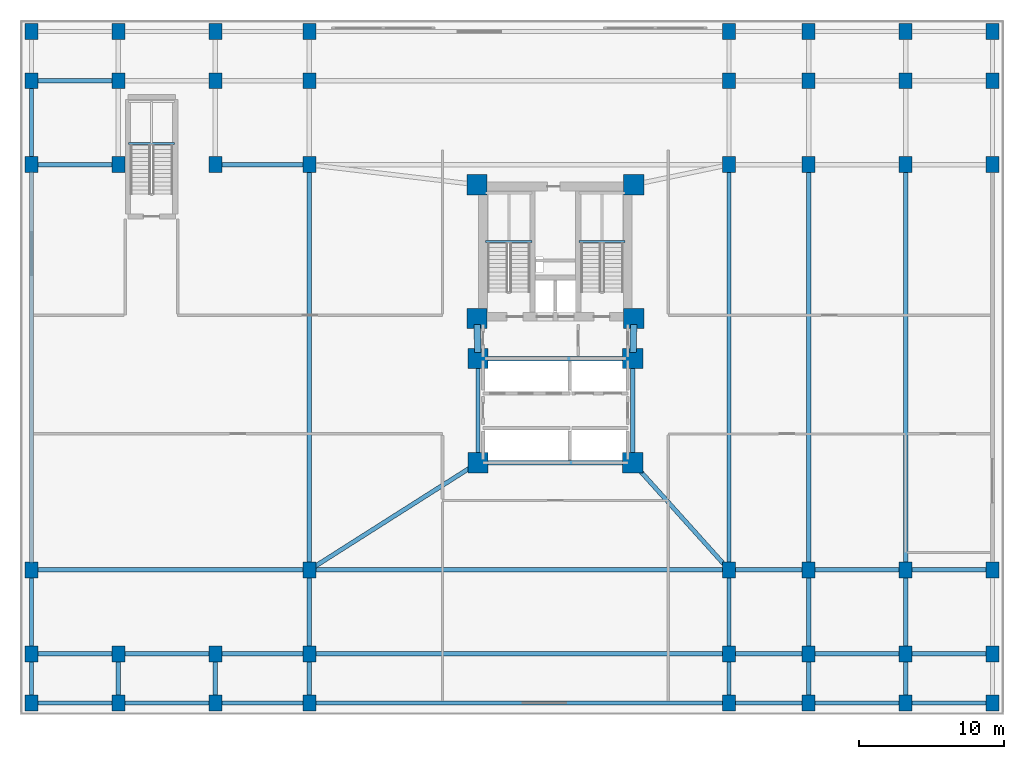
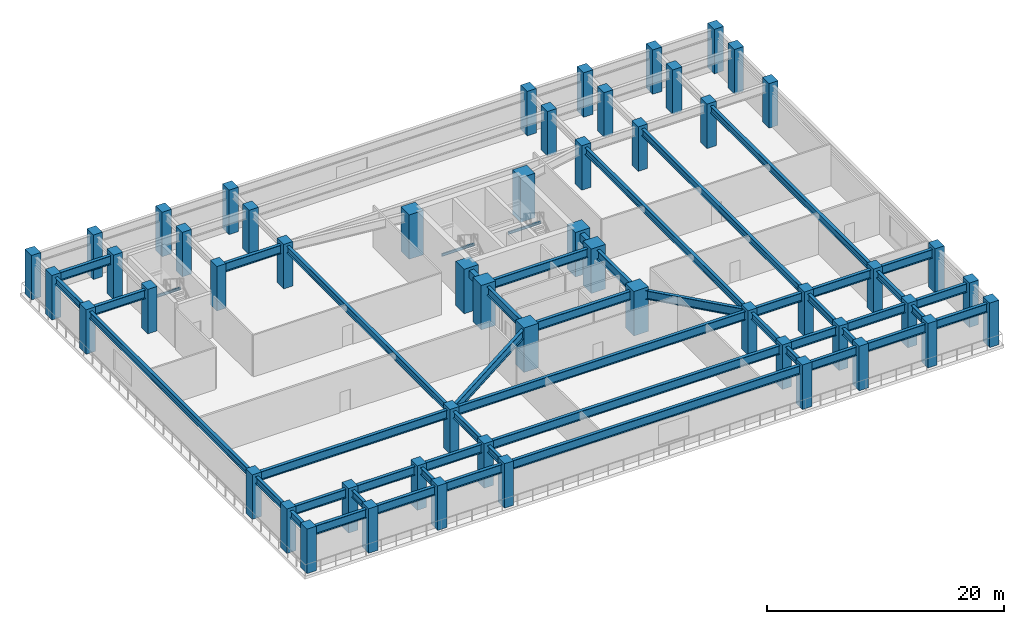
# One storey, part 1 of 12: 54 columns, 51 beams.
"""IFC4 building model written with IfcOpenShell, lengths in metres."""

from ifc_helpers import new_model, si_unit, direction, frame, origin, origin_2d, place, context, subcontext, project, spatial, rectangle, i_section, extrude, material, material_profile, profile_set, type_object, element, save


model = new_model("IFC4")

# Units and contexts
model_context = context("Model", 3, precision=1e-05, world=origin(), true_north=direction((0.0, 1.0)))
body_context = subcontext(model_context, "Body", "Model", "MODEL_VIEW")
ifc_project = project(units=[si_unit("LENGTHUNIT", "METRE"), si_unit("AREAUNIT", "SQUARE_METRE"), si_unit("VOLUMEUNIT", "CUBIC_METRE"), si_unit("PLANEANGLEUNIT", "RADIAN"), si_unit("MASSUNIT", "GRAM", prefix="KILO")], contexts=[model_context])

# Site, building, storey
site_placement = place(None, origin())
site = spatial("IfcSite", under=ifc_project, at=site_placement, CompositionType="ELEMENT")
building_placement = place(site_placement, origin())
building = spatial("IfcBuilding", under=site, at=building_placement, Name="Varnakorn Sky Granary", CompositionType="ELEMENT")
storey_placement = place(building_placement, frame((0.0, 0.0, 4.60009765625)))
storey = spatial("IfcBuildingStorey", under=building, at=storey_placement, Name="L01", CompositionType="ELEMENT", Elevation=4.60009765625)

# Columns
ifc_material_1 = material(Name="Concrete C60/75", Category="concrete")
ifc_material_profile_1 = material_profile(ifc_material_1, rectangle(XDim=1.39990234375, YDim=1.39990234375, at=origin_2d()), Name="RC 1400x1400")
ifc_profile_set_1 = profile_set([ifc_material_profile_1], Name="Concrete C60/75")
column_type_1 = type_object("IfcColumnType", Name="COL-MC-Z0", PredefinedType="COLUMN", material=ifc_profile_set_1)
for number, where, z_axis, x_axis, name in (
    (1, (-2.419921875, 12.6201171875, 0.0), (0.0, 0.0, 1.0), (1.0, 0.0, 0.0), "Backbone Mega-Column MC1 L01"),
    (2, (8.419921875, 12.6201171875, 0.0), (0.0, 0.0, 1.0), (1.0, 0.0, 0.0), "Backbone Mega-Column MC2 L01"),
    (3, (-2.419921875, 3.3798828125, 0.0), (0.0, 0.0, 1.0), (1.0, 0.0, 0.0), "Backbone Mega-Column MC3 L01"),
    (4, (8.419921875, 3.3798828125, 0.0), (0.0, 0.0, 1.0), (1.0, 0.0, 0.0), "Backbone Mega-Column MC4 L01"),
    (5, (-2.35009765625, 0.60009765625, 0.0), (0.0, 0.0, 1.0), (1.0, 0.0, 0.0), "Backbone Mega-Column MC5 L01"),
    (6, (8.35009765625, 0.60009765625, 0.0), (0.0, 0.0, 1.0), (1.0, 0.0, 0.0), "Backbone Mega-Column MC6 L01"),
    (7, (-2.35009765625, -6.60009765625, 0.0), (0.0, 0.0, 1.0), (1.0, 0.0, 0.0), "Backbone Mega-Column MC7 L01"),
    (8, (8.35009765625, -6.60009765625, 0.0), (0.0, 0.0, 1.0), (1.0, 0.0, 0.0), "Backbone Mega-Column MC8 L01"),
):
    element("IfcColumn", number, at=place(storey_placement, frame(where, z_axis=z_axis, x_axis=x_axis)), inside=storey, type_object=column_type_1, Name=name, PredefinedType="COLUMN", context=body_context, shape_type="SweptSolid", body=[
        extrude(rectangle(XDim=1.39990234375, YDim=1.39990234375, at=origin_2d()), origin(), (0.0, 0.0, 1.0), 4.574951171875),
    ])
ifc_material_profile_2 = material_profile(ifc_material_1, rectangle(XDim=0.89990234375, YDim=1.10009765625, at=origin_2d()), Name="RC 900x1100")
ifc_profile_set_2 = profile_set([ifc_material_profile_2], Name="Concrete C60/75")
column_type_2 = type_object("IfcColumnType", Name="COL-POD-1100", PredefinedType="COLUMN", material=ifc_profile_set_2)
for number, where, z_axis, x_axis, name in (
    (9, (-33.199951171875, -23.199951171875, 0.0), (0.0, 0.0, 1.0), (1.0, 0.0, 0.0), "Podium Column P11 L01"),
    (10, (-33.199951171875, -19.800048828125, 0.0), (0.0, 0.0, 1.0), (1.0, 0.0, 0.0), "Podium Column P12 L01"),
    (11, (-33.199951171875, -14.0, 0.0), (0.0, 0.0, 1.0), (1.0, 0.0, 0.0), "Podium Column P13 L01"),
    (12, (-33.199951171875, 14.0, 0.0), (0.0, 0.0, 1.0), (1.0, 0.0, 0.0), "Podium Column P14 L01"),
    (13, (-33.199951171875, 19.800048828125, 0.0), (0.0, 0.0, 1.0), (1.0, 0.0, 0.0), "Podium Column P15 L01"),
    (14, (-33.199951171875, 23.199951171875, 0.0), (0.0, 0.0, 1.0), (1.0, 0.0, 0.0), "Podium Column P16 L01"),
    (15, (-27.199951171875, -23.199951171875, 0.0), (0.0, 0.0, 1.0), (1.0, 0.0, 0.0), "Podium Column P21 L01"),
    (16, (-27.199951171875, -19.800048828125, 0.0), (0.0, 0.0, 1.0), (1.0, 0.0, 0.0), "Podium Column P22 L01"),
    (17, (-27.199951171875, 14.0, 0.0), (0.0, 0.0, 1.0), (1.0, 0.0, 0.0), "Podium Column P24 L01"),
    (18, (-27.199951171875, 19.800048828125, 0.0), (0.0, 0.0, 1.0), (1.0, 0.0, 0.0), "Podium Column P25 L01"),
    (19, (-27.199951171875, 23.199951171875, 0.0), (0.0, 0.0, 1.0), (1.0, 0.0, 0.0), "Podium Column P26 L01"),
    (20, (-20.5, -23.199951171875, 0.0), (0.0, 0.0, 1.0), (1.0, 0.0, 0.0), "Podium Column P31 L01"),
    (21, (-20.5, -19.800048828125, 0.0), (0.0, 0.0, 1.0), (1.0, 0.0, 0.0), "Podium Column P32 L01"),
    (22, (-20.5, 14.0, 0.0), (0.0, 0.0, 1.0), (1.0, 0.0, 0.0), "Podium Column P34 L01"),
    (23, (-20.5, 19.800048828125, 0.0), (0.0, 0.0, 1.0), (1.0, 0.0, 0.0), "Podium Column P35 L01"),
    (24, (-20.5, 23.199951171875, 0.0), (0.0, 0.0, 1.0), (1.0, 0.0, 0.0), "Podium Column P36 L01"),
    (25, (-14.0, -23.199951171875, 0.0), (0.0, 0.0, 1.0), (1.0, 0.0, 0.0), "Podium Column P41 L01"),
    (26, (-14.0, -19.800048828125, 0.0), (0.0, 0.0, 1.0), (1.0, 0.0, 0.0), "Podium Column P42 L01"),
    (27, (-14.0, -14.0, 0.0), (0.0, 0.0, 1.0), (1.0, 0.0, 0.0), "Podium Column P43 L01"),
    (28, (-14.0, 14.0, 0.0), (0.0, 0.0, 1.0), (1.0, 0.0, 0.0), "Podium Column P44 L01"),
    (29, (-14.0, 19.800048828125, 0.0), (0.0, 0.0, 1.0), (1.0, 0.0, 0.0), "Podium Column P45 L01"),
    (30, (-14.0, 23.199951171875, 0.0), (0.0, 0.0, 1.0), (1.0, 0.0, 0.0), "Podium Column P46 L01"),
    (31, (15.0, -23.199951171875, 0.0), (0.0, 0.0, 1.0), (1.0, 0.0, 0.0), "Podium Column P51 L01"),
    (32, (15.0, -19.800048828125, 0.0), (0.0, 0.0, 1.0), (1.0, 0.0, 0.0), "Podium Column P52 L01"),
    (33, (15.0, -14.0, 0.0), (0.0, 0.0, 1.0), (1.0, 0.0, 0.0), "Podium Column P53 L01"),
    (34, (15.0, 14.0, 0.0), (0.0, 0.0, 1.0), (1.0, 0.0, 0.0), "Podium Column P54 L01"),
    (35, (15.0, 19.800048828125, 0.0), (0.0, 0.0, 1.0), (1.0, 0.0, 0.0), "Podium Column P55 L01"),
    (36, (15.0, 23.199951171875, 0.0), (0.0, 0.0, 1.0), (1.0, 0.0, 0.0), "Podium Column P56 L01"),
    (37, (20.5, -23.199951171875, 0.0), (0.0, 0.0, 1.0), (1.0, 0.0, 0.0), "Podium Column P61 L01"),
    (38, (20.5, -19.800048828125, 0.0), (0.0, 0.0, 1.0), (1.0, 0.0, 0.0), "Podium Column P62 L01"),
    (39, (20.5, -14.0, 0.0), (0.0, 0.0, 1.0), (1.0, 0.0, 0.0), "Podium Column P63 L01"),
    (40, (20.5, 14.0, 0.0), (0.0, 0.0, 1.0), (1.0, 0.0, 0.0), "Podium Column P64 L01"),
    (41, (20.5, 19.800048828125, 0.0), (0.0, 0.0, 1.0), (1.0, 0.0, 0.0), "Podium Column P65 L01"),
    (42, (20.5, 23.199951171875, 0.0), (0.0, 0.0, 1.0), (1.0, 0.0, 0.0), "Podium Column P66 L01"),
    (43, (27.199951171875, -23.199951171875, 0.0), (0.0, 0.0, 1.0), (1.0, 0.0, 0.0), "Podium Column P71 L01"),
    (44, (27.199951171875, -19.800048828125, 0.0), (0.0, 0.0, 1.0), (1.0, 0.0, 0.0), "Podium Column P72 L01"),
    (45, (27.199951171875, -14.0, 0.0), (0.0, 0.0, 1.0), (1.0, 0.0, 0.0), "Podium Column P73 L01"),
    (46, (27.199951171875, 14.0, 0.0), (0.0, 0.0, 1.0), (1.0, 0.0, 0.0), "Podium Column P74 L01"),
    (47, (27.199951171875, 19.800048828125, 0.0), (0.0, 0.0, 1.0), (1.0, 0.0, 0.0), "Podium Column P75 L01"),
    (48, (27.199951171875, 23.199951171875, 0.0), (0.0, 0.0, 1.0), (1.0, 0.0, 0.0), "Podium Column P76 L01"),
    (49, (33.199951171875, -23.199951171875, 0.0), (0.0, 0.0, 1.0), (1.0, 0.0, 0.0), "Podium Column P81 L01"),
    (50, (33.199951171875, -19.800048828125, 0.0), (0.0, 0.0, 1.0), (1.0, 0.0, 0.0), "Podium Column P82 L01"),
    (51, (33.199951171875, -14.0, 0.0), (0.0, 0.0, 1.0), (1.0, 0.0, 0.0), "Podium Column P83 L01"),
    (52, (33.199951171875, 14.0, 0.0), (0.0, 0.0, 1.0), (1.0, 0.0, 0.0), "Podium Column P84 L01"),
    (53, (33.199951171875, 19.800048828125, 0.0), (0.0, 0.0, 1.0), (1.0, 0.0, 0.0), "Podium Column P85 L01"),
    (54, (33.199951171875, 23.199951171875, 0.0), (0.0, 0.0, 1.0), (1.0, 0.0, 0.0), "Podium Column P86 L01"),
):
    element("IfcColumn", number, at=place(storey_placement, frame(where, z_axis=z_axis, x_axis=x_axis)), inside=storey, type_object=column_type_2, Name=name, PredefinedType="COLUMN", context=body_context, shape_type="SweptSolid", body=[
        extrude(rectangle(XDim=0.89990234375, YDim=1.10009765625, at=origin_2d()), origin(), (0.0, 0.0, 1.0), 4.574951171875),
    ])

# Beams
ifc_material_profile_3 = material_profile(ifc_material_1, rectangle(XDim=0.449951171875, YDim=0.75, at=origin_2d()), Name="RC 450x750")
ifc_profile_set_3 = profile_set([ifc_material_profile_3], Name="Concrete C60/75")
beam_type_1 = type_object("IfcBeamType", Name="BM-LIN-750", PredefinedType="LINTEL", material=ifc_profile_set_3)
for number, where, z_axis, x_axis, name in (
    (55, (-2.409423828125, 2.960205078125, 3.90478515625), (0.025158763514, -0.999683468213, 0.0), (0.999683468213, 0.025158763514, 0.0), "Core Spine Beam 1 L01"),
    (56, (8.409423828125, 2.960205078125, 3.90478515625), (-0.025158763514, -0.999683468213, 0.0), (0.999683468213, -0.025158763514, 0.0), "Core Spine Beam 2 L01"),
):
    element("IfcBeam", number, at=place(storey_placement, frame(where, z_axis=z_axis, x_axis=x_axis)), inside=storey, type_object=beam_type_1, Name=name, PredefinedType="LINTEL", context=body_context, shape_type="SweptSolid", body=[
        extrude(rectangle(XDim=0.449951171875, YDim=0.75, at=origin_2d()), origin(), (0.0, 0.0, 1.0), 1.94091796875),
    ])
ifc_material_2 = material(Name="Steel S355JR", Category="steel")
ifc_material_profile_4 = material_profile(ifc_material_2, i_section(OverallWidth=0.135009765625, OverallDepth=0.27001953125, WebThickness=0.006591796875, FlangeThickness=0.01025390625, at=origin_2d()), Name="IPE 270")
ifc_profile_set_4 = profile_set([ifc_material_profile_4], Name="Steel S355JR")
beam_type_2 = type_object("IfcBeamType", Name="BM-LND-270", PredefinedType="BEAM", material=ifc_profile_set_4)
for number, where, z_axis, x_axis, name in (
    (57, (-1.820068359375, 8.679931640625, 1.96484375), (1.0, 0.0, 0.0), (0.0, 1.0, 0.0), "Stair ST-1 Landing Trimmer Beam A L01-1"),
    (58, (4.6201171875, 8.679931640625, 1.96484375), (1.0, 0.0, 0.0), (0.0, 1.0, 0.0), "Stair ST-2 Landing Trimmer Beam A L01-1"),
):
    element("IfcBeam", number, at=place(storey_placement, frame(where, z_axis=z_axis, x_axis=x_axis)), inside=storey, type_object=beam_type_2, Name=name, PredefinedType="BEAM", context=body_context, shape_type="SweptSolid", body=[
        extrude(i_section(OverallWidth=0.135009765625, OverallDepth=0.27001953125, WebThickness=0.006591796875, FlangeThickness=0.01025390625, at=origin_2d()), origin(), (0.0, 0.0, 1.0), 3.199951171875),
    ])
beam_1_placement = place(storey_placement, frame((-26.5, 15.4599609375, 1.96484375), z_axis=(1.0, 0.0, 0.0), x_axis=(0.0, 1.0, 0.0)))
element("IfcBeam", 59, at=beam_1_placement, inside=storey, type_object=beam_type_2, Name="Stair ST-B3 Landing Trimmer Beam A L01-1", PredefinedType="BEAM", context=body_context, shape_type="SweptSolid", body=[
    extrude(i_section(OverallWidth=0.135009765625, OverallDepth=0.27001953125, WebThickness=0.006591796875, FlangeThickness=0.01025390625, at=origin_2d()), origin(), (0.0, 0.0, 1.0), 3.179931640625),
])
ifc_material_profile_5 = material_profile(ifc_material_2, i_section(OverallWidth=0.300048828125, OverallDepth=0.699951171875, WebThickness=0.01708984375, FlangeThickness=0.031982421875, at=origin_2d()), Name="HE 700 B")
ifc_profile_set_5 = profile_set([ifc_material_profile_5], Name="Steel S355JR")
beam_type_3 = type_object("IfcBeamType", Name="BM-PG-700", PredefinedType="T_BEAM", material=ifc_profile_set_5)
beam_2_placement = place(storey_placement, frame((-33.199951171875, -22.780029296875, 3.929931640625), z_axis=(0.0, 1.0, 0.0), x_axis=(-1.0, 0.0, 0.0)))
element("IfcBeam", 60, at=beam_2_placement, inside=storey, type_object=beam_type_3, Name="Podium Y-Girder GY40 L01", PredefinedType="T_BEAM", context=body_context, shape_type="SweptSolid", body=[
    extrude(i_section(OverallWidth=0.300048828125, OverallDepth=0.699951171875, WebThickness=0.01708984375, FlangeThickness=0.031982421875, at=origin_2d()), origin(), (0.0, 0.0, 1.0), 2.56005859375),
])
beam_3_placement = place(storey_placement, frame((-33.199951171875, -19.3798828125, 3.929931640625), z_axis=(0.0, 1.0, 0.0), x_axis=(-1.0, 0.0, 0.0)))
element("IfcBeam", 61, at=beam_3_placement, inside=storey, type_object=beam_type_3, Name="Podium Y-Girder GY41 L01", PredefinedType="T_BEAM", context=body_context, shape_type="SweptSolid", body=[
    extrude(i_section(OverallWidth=0.300048828125, OverallDepth=0.699951171875, WebThickness=0.01708984375, FlangeThickness=0.031982421875, at=origin_2d()), origin(), (0.0, 0.0, 1.0), 4.9599609375),
])
beam_4_placement = place(storey_placement, frame((-33.199951171875, -13.580078125, 3.929931640625), z_axis=(0.0, 1.0, 0.0), x_axis=(-1.0, 0.0, 0.0)))
element("IfcBeam", 62, at=beam_4_placement, inside=storey, type_object=beam_type_3, Name="Podium Y-Girder GY42 L01", PredefinedType="T_BEAM", context=body_context, shape_type="SweptSolid", body=[
    extrude(i_section(OverallWidth=0.300048828125, OverallDepth=0.699951171875, WebThickness=0.01708984375, FlangeThickness=0.031982421875, at=origin_2d()), origin(), (0.0, 0.0, 1.0), 27.16015625),
])
beam_5_placement = place(storey_placement, frame((-33.199951171875, 14.419921875, 3.929931640625), z_axis=(0.0, 1.0, 0.0), x_axis=(-1.0, 0.0, 0.0)))
element("IfcBeam", 63, at=beam_5_placement, inside=storey, type_object=beam_type_3, Name="Podium Y-Girder GY43 L01", PredefinedType="T_BEAM", context=body_context, shape_type="SweptSolid", body=[
    extrude(i_section(OverallWidth=0.300048828125, OverallDepth=0.699951171875, WebThickness=0.01708984375, FlangeThickness=0.031982421875, at=origin_2d()), origin(), (0.0, 0.0, 1.0), 4.9599609375),
])
for number, where, z_axis, x_axis, name in (
    (64, (-27.199951171875, -22.780029296875, 3.929931640625), (0.0, 1.0, 0.0), (-1.0, 0.0, 0.0), "Podium Y-Girder GY45 L01"),
    (65, (-20.5, -22.780029296875, 3.929931640625), (0.0, 1.0, 0.0), (-1.0, 0.0, 0.0), "Podium Y-Girder GY48 L01"),
    (66, (-14.0, -22.780029296875, 3.929931640625), (0.0, 1.0, 0.0), (-1.0, 0.0, 0.0), "Podium Y-Girder GY51 L01"),
):
    element("IfcBeam", number, at=place(storey_placement, frame(where, z_axis=z_axis, x_axis=x_axis)), inside=storey, type_object=beam_type_3, Name=name, PredefinedType="T_BEAM", context=body_context, shape_type="SweptSolid", body=[
        extrude(i_section(OverallWidth=0.300048828125, OverallDepth=0.699951171875, WebThickness=0.01708984375, FlangeThickness=0.031982421875, at=origin_2d()), origin(), (0.0, 0.0, 1.0), 2.56005859375),
    ])
beam_6_placement = place(storey_placement, frame((-14.0, -19.3798828125, 3.929931640625), z_axis=(0.0, 1.0, 0.0), x_axis=(-1.0, 0.0, 0.0)))
element("IfcBeam", 67, at=beam_6_placement, inside=storey, type_object=beam_type_3, Name="Podium Y-Girder GY52 L01", PredefinedType="T_BEAM", context=body_context, shape_type="SweptSolid", body=[
    extrude(i_section(OverallWidth=0.300048828125, OverallDepth=0.699951171875, WebThickness=0.01708984375, FlangeThickness=0.031982421875, at=origin_2d()), origin(), (0.0, 0.0, 1.0), 4.9599609375),
])
beam_7_placement = place(storey_placement, frame((-14.0, -13.580078125, 3.929931640625), z_axis=(0.0, 1.0, 0.0), x_axis=(-1.0, 0.0, 0.0)))
element("IfcBeam", 68, at=beam_7_placement, inside=storey, type_object=beam_type_3, Name="Podium Y-Girder GY53 L01", PredefinedType="T_BEAM", context=body_context, shape_type="SweptSolid", body=[
    extrude(i_section(OverallWidth=0.300048828125, OverallDepth=0.699951171875, WebThickness=0.01708984375, FlangeThickness=0.031982421875, at=origin_2d()), origin(), (0.0, 0.0, 1.0), 27.16015625),
])
beam_8_placement = place(storey_placement, frame((15.0, -22.780029296875, 3.929931640625), z_axis=(0.0, 1.0, 0.0), x_axis=(-1.0, 0.0, 0.0)))
element("IfcBeam", 69, at=beam_8_placement, inside=storey, type_object=beam_type_3, Name="Podium Y-Girder GY56 L01", PredefinedType="T_BEAM", context=body_context, shape_type="SweptSolid", body=[
    extrude(i_section(OverallWidth=0.300048828125, OverallDepth=0.699951171875, WebThickness=0.01708984375, FlangeThickness=0.031982421875, at=origin_2d()), origin(), (0.0, 0.0, 1.0), 2.56005859375),
])
beam_9_placement = place(storey_placement, frame((15.0, -19.3798828125, 3.929931640625), z_axis=(0.0, 1.0, 0.0), x_axis=(-1.0, 0.0, 0.0)))
element("IfcBeam", 70, at=beam_9_placement, inside=storey, type_object=beam_type_3, Name="Podium Y-Girder GY57 L01", PredefinedType="T_BEAM", context=body_context, shape_type="SweptSolid", body=[
    extrude(i_section(OverallWidth=0.300048828125, OverallDepth=0.699951171875, WebThickness=0.01708984375, FlangeThickness=0.031982421875, at=origin_2d()), origin(), (0.0, 0.0, 1.0), 4.9599609375),
])
beam_10_placement = place(storey_placement, frame((15.0, -13.580078125, 3.929931640625), z_axis=(0.0, 1.0, 0.0), x_axis=(-1.0, 0.0, 0.0)))
element("IfcBeam", 71, at=beam_10_placement, inside=storey, type_object=beam_type_3, Name="Podium Y-Girder GY58 L01", PredefinedType="T_BEAM", context=body_context, shape_type="SweptSolid", body=[
    extrude(i_section(OverallWidth=0.300048828125, OverallDepth=0.699951171875, WebThickness=0.01708984375, FlangeThickness=0.031982421875, at=origin_2d()), origin(), (0.0, 0.0, 1.0), 27.16015625),
])
beam_11_placement = place(storey_placement, frame((20.5, -22.780029296875, 3.929931640625), z_axis=(0.0, 1.0, 0.0), x_axis=(-1.0, 0.0, 0.0)))
element("IfcBeam", 72, at=beam_11_placement, inside=storey, type_object=beam_type_3, Name="Podium Y-Girder GY61 L01", PredefinedType="T_BEAM", context=body_context, shape_type="SweptSolid", body=[
    extrude(i_section(OverallWidth=0.300048828125, OverallDepth=0.699951171875, WebThickness=0.01708984375, FlangeThickness=0.031982421875, at=origin_2d()), origin(), (0.0, 0.0, 1.0), 2.56005859375),
])
beam_12_placement = place(storey_placement, frame((20.5, -19.3798828125, 3.929931640625), z_axis=(0.0, 1.0, 0.0), x_axis=(-1.0, 0.0, 0.0)))
element("IfcBeam", 73, at=beam_12_placement, inside=storey, type_object=beam_type_3, Name="Podium Y-Girder GY62 L01", PredefinedType="T_BEAM", context=body_context, shape_type="SweptSolid", body=[
    extrude(i_section(OverallWidth=0.300048828125, OverallDepth=0.699951171875, WebThickness=0.01708984375, FlangeThickness=0.031982421875, at=origin_2d()), origin(), (0.0, 0.0, 1.0), 4.9599609375),
])
beam_13_placement = place(storey_placement, frame((20.5, -13.580078125, 3.929931640625), z_axis=(0.0, 1.0, 0.0), x_axis=(-1.0, 0.0, 0.0)))
element("IfcBeam", 74, at=beam_13_placement, inside=storey, type_object=beam_type_3, Name="Podium Y-Girder GY63 L01", PredefinedType="T_BEAM", context=body_context, shape_type="SweptSolid", body=[
    extrude(i_section(OverallWidth=0.300048828125, OverallDepth=0.699951171875, WebThickness=0.01708984375, FlangeThickness=0.031982421875, at=origin_2d()), origin(), (0.0, 0.0, 1.0), 27.16015625),
])
beam_14_placement = place(storey_placement, frame((27.199951171875, -22.780029296875, 3.929931640625), z_axis=(0.0, 1.0, 0.0), x_axis=(-1.0, 0.0, 0.0)))
element("IfcBeam", 75, at=beam_14_placement, inside=storey, type_object=beam_type_3, Name="Podium Y-Girder GY66 L01", PredefinedType="T_BEAM", context=body_context, shape_type="SweptSolid", body=[
    extrude(i_section(OverallWidth=0.300048828125, OverallDepth=0.699951171875, WebThickness=0.01708984375, FlangeThickness=0.031982421875, at=origin_2d()), origin(), (0.0, 0.0, 1.0), 2.56005859375),
])
beam_15_placement = place(storey_placement, frame((27.199951171875, -19.3798828125, 3.929931640625), z_axis=(0.0, 1.0, 0.0), x_axis=(-1.0, 0.0, 0.0)))
element("IfcBeam", 76, at=beam_15_placement, inside=storey, type_object=beam_type_3, Name="Podium Y-Girder GY67 L01", PredefinedType="T_BEAM", context=body_context, shape_type="SweptSolid", body=[
    extrude(i_section(OverallWidth=0.300048828125, OverallDepth=0.699951171875, WebThickness=0.01708984375, FlangeThickness=0.031982421875, at=origin_2d()), origin(), (0.0, 0.0, 1.0), 4.9599609375),
])
beam_16_placement = place(storey_placement, frame((27.199951171875, -13.580078125, 3.929931640625), z_axis=(0.0, 1.0, 0.0), x_axis=(-1.0, 0.0, 0.0)))
element("IfcBeam", 77, at=beam_16_placement, inside=storey, type_object=beam_type_3, Name="Podium Y-Girder GY68 L01", PredefinedType="T_BEAM", context=body_context, shape_type="SweptSolid", body=[
    extrude(i_section(OverallWidth=0.300048828125, OverallDepth=0.699951171875, WebThickness=0.01708984375, FlangeThickness=0.031982421875, at=origin_2d()), origin(), (0.0, 0.0, 1.0), 27.16015625),
])
ifc_material_profile_6 = material_profile(ifc_material_2, i_section(OverallWidth=0.300048828125, OverallDepth=0.89990234375, WebThickness=0.0185546875, FlangeThickness=0.034912109375, at=origin_2d()), Name="HE 900 B")
ifc_profile_set_6 = profile_set([ifc_material_profile_6], Name="Steel S355JR")
beam_type_4 = type_object("IfcBeamType", Name="BM-PG-900", PredefinedType="BEAM", material=ifc_profile_set_6)
beam_17_placement = place(storey_placement, frame((-32.780029296875, -23.199951171875, 3.829833984375), z_axis=(1.0, 0.0, 0.0), x_axis=(0.0, 1.0, 0.0)))
element("IfcBeam", 78, at=beam_17_placement, inside=storey, type_object=beam_type_4, Name="Podium X-Girder GX01 L01", PredefinedType="BEAM", context=body_context, shape_type="SweptSolid", body=[
    extrude(i_section(OverallWidth=0.300048828125, OverallDepth=0.89990234375, WebThickness=0.0185546875, FlangeThickness=0.034912109375, at=origin_2d()), origin(), (0.0, 0.0, 1.0), 5.159912109375),
])
beam_18_placement = place(storey_placement, frame((-26.780029296875, -23.199951171875, 3.829833984375), z_axis=(1.0, 0.0, 0.0), x_axis=(0.0, 1.0, 0.0)))
element("IfcBeam", 79, at=beam_18_placement, inside=storey, type_object=beam_type_4, Name="Podium X-Girder GX02 L01", PredefinedType="BEAM", context=body_context, shape_type="SweptSolid", body=[
    extrude(i_section(OverallWidth=0.300048828125, OverallDepth=0.89990234375, WebThickness=0.0185546875, FlangeThickness=0.034912109375, at=origin_2d()), origin(), (0.0, 0.0, 1.0), 5.860107421875),
])
beam_19_placement = place(storey_placement, frame((-20.080078125, -23.199951171875, 3.829833984375), z_axis=(1.0, 0.0, 0.0), x_axis=(0.0, 1.0, 0.0)))
element("IfcBeam", 80, at=beam_19_placement, inside=storey, type_object=beam_type_4, Name="Podium X-Girder GX03 L01", PredefinedType="BEAM", context=body_context, shape_type="SweptSolid", body=[
    extrude(i_section(OverallWidth=0.300048828125, OverallDepth=0.89990234375, WebThickness=0.0185546875, FlangeThickness=0.034912109375, at=origin_2d()), origin(), (0.0, 0.0, 1.0), 5.66015625),
])
beam_20_placement = place(storey_placement, frame((-13.580078125, -23.199951171875, 3.829833984375), z_axis=(1.0, 0.0, 0.0), x_axis=(0.0, 1.0, 0.0)))
element("IfcBeam", 81, at=beam_20_placement, inside=storey, type_object=beam_type_4, Name="Podium X-Girder GX04 L01", PredefinedType="BEAM", context=body_context, shape_type="SweptSolid", body=[
    extrude(i_section(OverallWidth=0.300048828125, OverallDepth=0.89990234375, WebThickness=0.0185546875, FlangeThickness=0.034912109375, at=origin_2d()), origin(), (0.0, 0.0, 1.0), 28.16015625),
])
beam_21_placement = place(storey_placement, frame((15.419921875, -23.199951171875, 3.829833984375), z_axis=(1.0, 0.0, 0.0), x_axis=(0.0, 1.0, 0.0)))
element("IfcBeam", 82, at=beam_21_placement, inside=storey, type_object=beam_type_4, Name="Podium X-Girder GX05 L01", PredefinedType="BEAM", context=body_context, shape_type="SweptSolid", body=[
    extrude(i_section(OverallWidth=0.300048828125, OverallDepth=0.89990234375, WebThickness=0.0185546875, FlangeThickness=0.034912109375, at=origin_2d()), origin(), (0.0, 0.0, 1.0), 4.66015625),
])
beam_22_placement = place(storey_placement, frame((20.919921875, -23.199951171875, 3.829833984375), z_axis=(1.0, 0.0, 0.0), x_axis=(0.0, 1.0, 0.0)))
element("IfcBeam", 83, at=beam_22_placement, inside=storey, type_object=beam_type_4, Name="Podium X-Girder GX06 L01", PredefinedType="BEAM", context=body_context, shape_type="SweptSolid", body=[
    extrude(i_section(OverallWidth=0.300048828125, OverallDepth=0.89990234375, WebThickness=0.0185546875, FlangeThickness=0.034912109375, at=origin_2d()), origin(), (0.0, 0.0, 1.0), 5.860107421875),
])
for number, where, z_axis, x_axis, name in (
    (84, (27.6201171875, -23.199951171875, 3.829833984375), (1.0, 0.0, 0.0), (0.0, 1.0, 0.0), "Podium X-Girder GX07 L01"),
    (85, (-32.780029296875, -19.800048828125, 3.829833984375), (1.0, 0.0, 0.0), (0.0, 1.0, 0.0), "Podium X-Girder GX08 L01"),
):
    element("IfcBeam", number, at=place(storey_placement, frame(where, z_axis=z_axis, x_axis=x_axis)), inside=storey, type_object=beam_type_4, Name=name, PredefinedType="BEAM", context=body_context, shape_type="SweptSolid", body=[
        extrude(i_section(OverallWidth=0.300048828125, OverallDepth=0.89990234375, WebThickness=0.0185546875, FlangeThickness=0.034912109375, at=origin_2d()), origin(), (0.0, 0.0, 1.0), 5.159912109375),
    ])
beam_23_placement = place(storey_placement, frame((-26.780029296875, -19.800048828125, 3.829833984375), z_axis=(1.0, 0.0, 0.0), x_axis=(0.0, 1.0, 0.0)))
element("IfcBeam", 86, at=beam_23_placement, inside=storey, type_object=beam_type_4, Name="Podium X-Girder GX09 L01", PredefinedType="BEAM", context=body_context, shape_type="SweptSolid", body=[
    extrude(i_section(OverallWidth=0.300048828125, OverallDepth=0.89990234375, WebThickness=0.0185546875, FlangeThickness=0.034912109375, at=origin_2d()), origin(), (0.0, 0.0, 1.0), 5.860107421875),
])
beam_24_placement = place(storey_placement, frame((-20.080078125, -19.800048828125, 3.829833984375), z_axis=(1.0, 0.0, 0.0), x_axis=(0.0, 1.0, 0.0)))
element("IfcBeam", 87, at=beam_24_placement, inside=storey, type_object=beam_type_4, Name="Podium X-Girder GX10 L01", PredefinedType="BEAM", context=body_context, shape_type="SweptSolid", body=[
    extrude(i_section(OverallWidth=0.300048828125, OverallDepth=0.89990234375, WebThickness=0.0185546875, FlangeThickness=0.034912109375, at=origin_2d()), origin(), (0.0, 0.0, 1.0), 5.66015625),
])
beam_25_placement = place(storey_placement, frame((-13.580078125, -19.800048828125, 3.829833984375), z_axis=(1.0, 0.0, 0.0), x_axis=(0.0, 1.0, 0.0)))
element("IfcBeam", 88, at=beam_25_placement, inside=storey, type_object=beam_type_4, Name="Podium X-Girder GX11 L01", PredefinedType="BEAM", context=body_context, shape_type="SweptSolid", body=[
    extrude(i_section(OverallWidth=0.300048828125, OverallDepth=0.89990234375, WebThickness=0.0185546875, FlangeThickness=0.034912109375, at=origin_2d()), origin(), (0.0, 0.0, 1.0), 28.16015625),
])
beam_26_placement = place(storey_placement, frame((15.419921875, -19.800048828125, 3.829833984375), z_axis=(1.0, 0.0, 0.0), x_axis=(0.0, 1.0, 0.0)))
element("IfcBeam", 89, at=beam_26_placement, inside=storey, type_object=beam_type_4, Name="Podium X-Girder GX12 L01", PredefinedType="BEAM", context=body_context, shape_type="SweptSolid", body=[
    extrude(i_section(OverallWidth=0.300048828125, OverallDepth=0.89990234375, WebThickness=0.0185546875, FlangeThickness=0.034912109375, at=origin_2d()), origin(), (0.0, 0.0, 1.0), 4.66015625),
])
beam_27_placement = place(storey_placement, frame((20.919921875, -19.800048828125, 3.829833984375), z_axis=(1.0, 0.0, 0.0), x_axis=(0.0, 1.0, 0.0)))
element("IfcBeam", 90, at=beam_27_placement, inside=storey, type_object=beam_type_4, Name="Podium X-Girder GX13 L01", PredefinedType="BEAM", context=body_context, shape_type="SweptSolid", body=[
    extrude(i_section(OverallWidth=0.300048828125, OverallDepth=0.89990234375, WebThickness=0.0185546875, FlangeThickness=0.034912109375, at=origin_2d()), origin(), (0.0, 0.0, 1.0), 5.860107421875),
])
beam_28_placement = place(storey_placement, frame((27.6201171875, -19.800048828125, 3.829833984375), z_axis=(1.0, 0.0, 0.0), x_axis=(0.0, 1.0, 0.0)))
element("IfcBeam", 91, at=beam_28_placement, inside=storey, type_object=beam_type_4, Name="Podium X-Girder GX14 L01", PredefinedType="BEAM", context=body_context, shape_type="SweptSolid", body=[
    extrude(i_section(OverallWidth=0.300048828125, OverallDepth=0.89990234375, WebThickness=0.0185546875, FlangeThickness=0.034912109375, at=origin_2d()), origin(), (0.0, 0.0, 1.0), 5.159912109375),
])
beam_29_placement = place(storey_placement, frame((-32.780029296875, -14.0, 3.829833984375), z_axis=(1.0, 0.0, 0.0), x_axis=(0.0, 1.0, 0.0)))
element("IfcBeam", 92, at=beam_29_placement, inside=storey, type_object=beam_type_4, Name="Podium X-Girder GX15 L01", PredefinedType="BEAM", context=body_context, shape_type="SweptSolid", body=[
    extrude(i_section(OverallWidth=0.300048828125, OverallDepth=0.89990234375, WebThickness=0.0185546875, FlangeThickness=0.034912109375, at=origin_2d()), origin(), (0.0, 0.0, 1.0), 18.360107421875),
])
beam_30_placement = place(storey_placement, frame((-13.580078125, -14.0, 3.829833984375), z_axis=(1.0, 0.0, 0.0), x_axis=(0.0, 1.0, 0.0)))
element("IfcBeam", 93, at=beam_30_placement, inside=storey, type_object=beam_type_4, Name="Podium X-Girder GX16 L01", PredefinedType="BEAM", context=body_context, shape_type="SweptSolid", body=[
    extrude(i_section(OverallWidth=0.300048828125, OverallDepth=0.89990234375, WebThickness=0.0185546875, FlangeThickness=0.034912109375, at=origin_2d()), origin(), (0.0, 0.0, 1.0), 28.16015625),
])
beam_31_placement = place(storey_placement, frame((15.419921875, -14.0, 3.829833984375), z_axis=(1.0, 0.0, 0.0), x_axis=(0.0, 1.0, 0.0)))
element("IfcBeam", 94, at=beam_31_placement, inside=storey, type_object=beam_type_4, Name="Podium X-Girder GX17 L01", PredefinedType="BEAM", context=body_context, shape_type="SweptSolid", body=[
    extrude(i_section(OverallWidth=0.300048828125, OverallDepth=0.89990234375, WebThickness=0.0185546875, FlangeThickness=0.034912109375, at=origin_2d()), origin(), (0.0, 0.0, 1.0), 4.66015625),
])
beam_32_placement = place(storey_placement, frame((20.919921875, -14.0, 3.829833984375), z_axis=(1.0, 0.0, 0.0), x_axis=(0.0, 1.0, 0.0)))
element("IfcBeam", 95, at=beam_32_placement, inside=storey, type_object=beam_type_4, Name="Podium X-Girder GX18 L01", PredefinedType="BEAM", context=body_context, shape_type="SweptSolid", body=[
    extrude(i_section(OverallWidth=0.300048828125, OverallDepth=0.89990234375, WebThickness=0.0185546875, FlangeThickness=0.034912109375, at=origin_2d()), origin(), (0.0, 0.0, 1.0), 5.860107421875),
])
for number, where, z_axis, x_axis, name in (
    (96, (27.6201171875, -14.0, 3.829833984375), (1.0, 0.0, 0.0), (0.0, 1.0, 0.0), "Podium X-Girder GX19 L01"),
    (97, (-32.780029296875, 14.0, 3.829833984375), (1.0, 0.0, 0.0), (0.0, 1.0, 0.0), "Podium X-Girder GX20 L01"),
):
    element("IfcBeam", number, at=place(storey_placement, frame(where, z_axis=z_axis, x_axis=x_axis)), inside=storey, type_object=beam_type_4, Name=name, PredefinedType="BEAM", context=body_context, shape_type="SweptSolid", body=[
        extrude(i_section(OverallWidth=0.300048828125, OverallDepth=0.89990234375, WebThickness=0.0185546875, FlangeThickness=0.034912109375, at=origin_2d()), origin(), (0.0, 0.0, 1.0), 5.159912109375),
    ])
beam_33_placement = place(storey_placement, frame((-20.080078125, 14.0, 3.829833984375), z_axis=(1.0, 0.0, 0.0), x_axis=(0.0, 1.0, 0.0)))
element("IfcBeam", 98, at=beam_33_placement, inside=storey, type_object=beam_type_4, Name="Podium X-Girder GX21 L01", PredefinedType="BEAM", context=body_context, shape_type="SweptSolid", body=[
    extrude(i_section(OverallWidth=0.300048828125, OverallDepth=0.89990234375, WebThickness=0.0185546875, FlangeThickness=0.034912109375, at=origin_2d()), origin(), (0.0, 0.0, 1.0), 5.66015625),
])
beam_34_placement = place(storey_placement, frame((-32.780029296875, 19.800048828125, 3.829833984375), z_axis=(1.0, 0.0, 0.0), x_axis=(0.0, 1.0, 0.0)))
element("IfcBeam", 99, at=beam_34_placement, inside=storey, type_object=beam_type_4, Name="Podium X-Girder GX26 L01", PredefinedType="BEAM", context=body_context, shape_type="SweptSolid", body=[
    extrude(i_section(OverallWidth=0.300048828125, OverallDepth=0.89990234375, WebThickness=0.0185546875, FlangeThickness=0.034912109375, at=origin_2d()), origin(), (0.0, 0.0, 1.0), 5.159912109375),
])
beam_35_placement = place(storey_placement, frame((-13.6455078125, -13.77490234375, 3.829833984375), z_axis=(0.844104836764, 0.536178164933, 0.0), x_axis=(-0.536178164933, 0.844104836764, 0.0)))
element("IfcBeam", 100, at=beam_35_placement, inside=storey, type_object=beam_type_4, Name="Podium Core Tie Girder 2 L01", PredefinedType="BEAM", context=body_context, shape_type="SweptSolid", body=[
    extrude(i_section(OverallWidth=0.300048828125, OverallDepth=0.89990234375, WebThickness=0.0185546875, FlangeThickness=0.034912109375, at=origin_2d()), origin(), (0.0, 0.0, 1.0), 12.961669921875),
])
beam_36_placement = place(storey_placement, frame((14.71923828125, -13.6875, 3.829833984375), z_axis=(-0.668418142949, 0.743785712538, 0.0), x_axis=(-0.743785712538, -0.668418142949, 0.0)))
element("IfcBeam", 101, at=beam_36_placement, inside=storey, type_object=beam_type_4, Name="Podium Core Tie Girder 4 L01", PredefinedType="BEAM", context=body_context, shape_type="SweptSolid", body=[
    extrude(i_section(OverallWidth=0.300048828125, OverallDepth=0.89990234375, WebThickness=0.0185546875, FlangeThickness=0.034912109375, at=origin_2d()), origin(), (0.0, 0.0, 1.0), 9.10888671875),
])
for number, where, z_axis, x_axis, name in (
    (102, (-2.35009765625, 0.179931640625, 3.829833984375), (0.0, -1.0, 0.0), (1.0, 0.0, 0.0), "Core Spine Beam 3 L01"),
    (103, (8.35009765625, 0.179931640625, 3.829833984375), (0.0, -1.0, 0.0), (1.0, 0.0, 0.0), "Core Spine Beam 4 L01"),
):
    element("IfcBeam", number, at=place(storey_placement, frame(where, z_axis=z_axis, x_axis=x_axis)), inside=storey, type_object=beam_type_4, Name=name, PredefinedType="BEAM", context=body_context, shape_type="SweptSolid", body=[
        extrude(i_section(OverallWidth=0.300048828125, OverallDepth=0.89990234375, WebThickness=0.0185546875, FlangeThickness=0.034912109375, at=origin_2d()), origin(), (0.0, 0.0, 1.0), 6.35986328125),
    ])
for number, where, z_axis, x_axis, name in (
    (104, (-1.929931640625, 0.60009765625, 3.829833984375), (1.0, 0.0, 0.0), (0.0, 1.0, 0.0), "Core Spine Beam 5 L01"),
    (105, (-1.929931640625, -6.60009765625, 3.829833984375), (1.0, 0.0, 0.0), (0.0, 1.0, 0.0), "Core Spine Beam 6 L01"),
):
    element("IfcBeam", number, at=place(storey_placement, frame(where, z_axis=z_axis, x_axis=x_axis)), inside=storey, type_object=beam_type_4, Name=name, PredefinedType="BEAM", context=body_context, shape_type="SweptSolid", body=[
        extrude(i_section(OverallWidth=0.300048828125, OverallDepth=0.89990234375, WebThickness=0.0185546875, FlangeThickness=0.034912109375, at=origin_2d()), origin(), (0.0, 0.0, 1.0), 9.85986328125),
    ])

save(model, "model.ifc")
